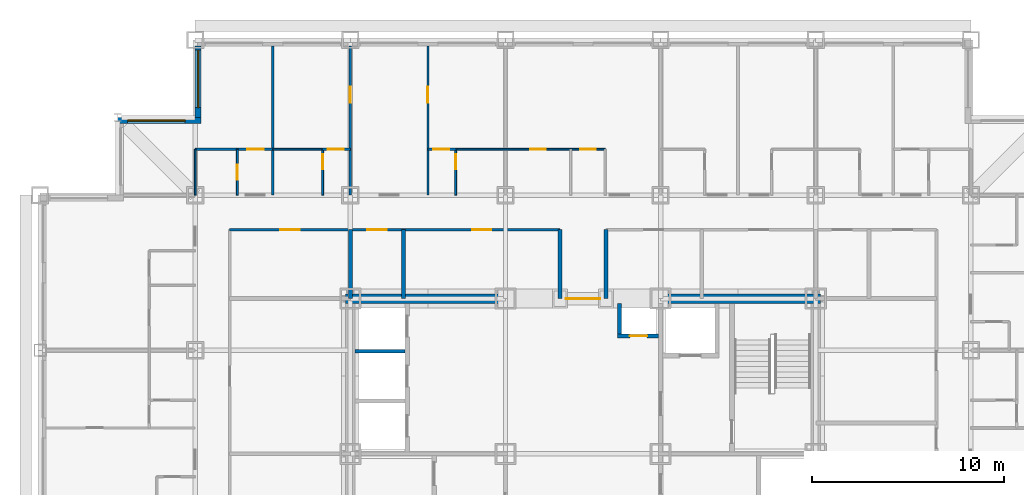
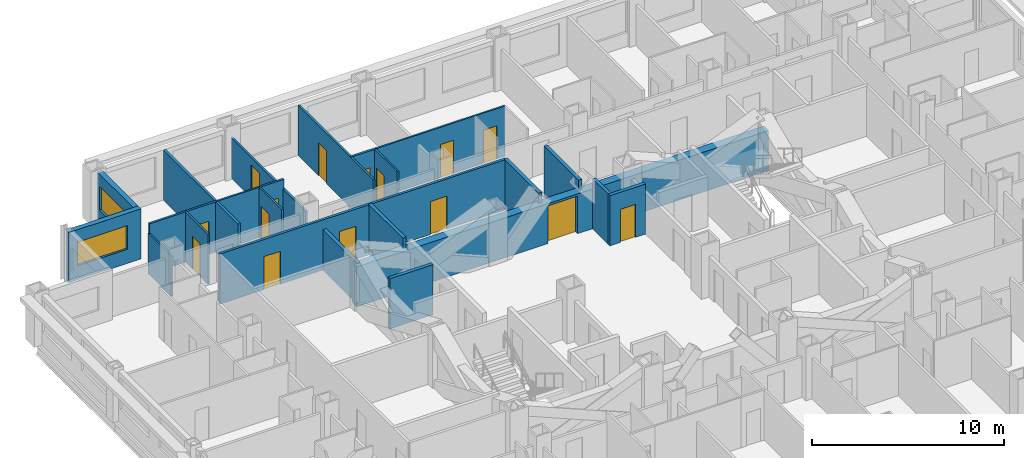
# One storey, part 9 of 14: 23 walls, 15 doors, 2 windows, 17 openings.
"""IFC4 building model written with IfcOpenShell, lengths in metres."""

from ifc_helpers import new_model, si_unit, direction, frame, frame_2d, origin, place, context, subcontext, project, spatial, rectangle, extrude, material, layer, layer_set, type_object, element, fill, save


model = new_model("IFC4")

# Units and contexts
model_context = context("Model", 3, precision=1e-05, world=origin(), true_north=direction((0.0, 1.0)))
body_context = subcontext(model_context, "Body", "Model", "MODEL_VIEW")
ifc_project = project(units=[si_unit("LENGTHUNIT", "METRE"), si_unit("AREAUNIT", "SQUARE_METRE"), si_unit("VOLUMEUNIT", "CUBIC_METRE"), si_unit("PLANEANGLEUNIT", "RADIAN"), si_unit("MASSUNIT", "GRAM", prefix="KILO")], contexts=[model_context])

# Site, building, storey
site_placement = place(None, origin())
site = spatial("IfcSite", under=ifc_project, at=site_placement, CompositionType="ELEMENT")
building_placement = place(site_placement, origin())
building = spatial("IfcBuilding", under=site, at=building_placement, Name="Kopane Lantern Tower", CompositionType="ELEMENT")
storey_placement = place(building_placement, frame((0.0, 0.0, 123.800048828125)))
storey = spatial("IfcBuildingStorey", under=building, at=storey_placement, Name="L31", CompositionType="ELEMENT", Elevation=123.800048828125)

# Wall, opening, door
ifc_material_1 = material(Name="Gypsum board on steel studs", Category="steel")
ifc_layer_1 = layer(ifc_material_1, 0.1201171875)
ifc_layer_set_1 = layer_set([ifc_layer_1], Name="APARTMENT INTERNAL WALL 120")
wall_type_1 = type_object("IfcWallType", Name="APARTMENT INTERNAL WALL 120", PredefinedType="PARTITIONING", material=ifc_layer_set_1)
wall_1_placement = place(storey_placement, frame((16.199951171875, 45.89990234375, 0.0), z_axis=(0.0, 0.0, 1.0), x_axis=(0.0, 1.0, 0.0)))
wall_1 = element("IfcWall", 1, at=wall_1_placement, inside=storey, type_object=wall_type_1, Name="Apartment Internal Wall 120 L31", PredefinedType="PARTITIONING", context=body_context, shape_type="SweptSolid", body=[
    extrude(rectangle(XDim=7.800048828125, YDim=0.1201171875, at=frame_2d((3.89990234375, 0.0))), origin(), (0.0, 0.0, 1.0), 2.57763671875),
])
opening_1_placement = place(wall_1_placement, frame((4.824951171875, 0.0, 0.0)))
opening_1 = element("IfcOpeningElement", 2, at=opening_1_placement, cuts=wall_1, Name="Opening L31-031", PredefinedType="OPENING", context=body_context, shape_type="SweptSolid", body=[
    extrude(rectangle(XDim=0.85009765625, YDim=2.10009765625, at=frame_2d((0.425048828125, 1.050048828125))), frame((0.0, 0.070068359375, 0.0), z_axis=(0.0, -1.0, 0.0), x_axis=(1.0, 0.0, 0.0)), (0.0, 0.0, 1.0), 0.14013671875),
])
ifc_material_2 = material(Name="Timber door set", Category="wood")
door_type_1 = type_object("IfcDoorType", Name="DOOR D4 850x2100", OperationType="SINGLE_SWING_LEFT", PredefinedType="DOOR", material=ifc_material_2)
door_1_placement = place(opening_1_placement, origin())
door_1 = element("IfcDoor", 3, at=door_1_placement, inside=storey, type_object=door_type_1, Name="Door L31-031", OperationType="SINGLE_SWING_LEFT", OverallHeight=2.10009765625, OverallWidth=0.85009765625, PredefinedType="DOOR", context=body_context, shape_type="SweptSolid", body=[
    extrude(rectangle(XDim=0.85009765625, YDim=2.10009765625, at=frame_2d((0.425048828125, 1.050048828125))), frame((0.0, 0.02490234375, 0.0), z_axis=(0.0, -1.0, 0.0), x_axis=(1.0, 0.0, 0.0)), (0.0, 0.0, 1.0), 0.050048828125),
])
fill(opening_1, door_1)

wall_2_placement = place(storey_placement, frame((20.25, 45.89990234375, 0.0), z_axis=(0.0, 0.0, 1.0), x_axis=(0.0, 1.0, 0.0)))
wall_2 = element("IfcWall", 4, at=wall_2_placement, inside=storey, type_object=wall_type_1, Name="Apartment Internal Wall 120 L31", PredefinedType="PARTITIONING", context=body_context, shape_type="SweptSolid", body=[
    extrude(rectangle(XDim=7.800048828125, YDim=0.1201171875, at=frame_2d((3.89990234375, 0.0))), origin(), (0.0, 0.0, 1.0), 3.18994140625),
])
opening_2_placement = place(wall_2_placement, frame((4.824951171875, 0.0, 0.0)))
opening_2 = element("IfcOpeningElement", 5, at=opening_2_placement, cuts=wall_2, Name="Opening L31-033", PredefinedType="OPENING", context=body_context, shape_type="SweptSolid", body=[
    extrude(rectangle(XDim=0.85009765625, YDim=2.10009765625, at=frame_2d((0.425048828125, 1.050048828125))), frame((0.0, 0.070068359375, 0.0), z_axis=(0.0, -1.0, 0.0), x_axis=(1.0, 0.0, 0.0)), (0.0, 0.0, 1.0), 0.14013671875),
])
door_2_placement = place(opening_2_placement, origin())
door_2 = element("IfcDoor", 6, at=door_2_placement, inside=storey, type_object=door_type_1, Name="Door L31-033", OperationType="SINGLE_SWING_RIGHT", OverallHeight=2.10009765625, OverallWidth=0.85009765625, PredefinedType="DOOR", context=body_context, shape_type="SweptSolid", body=[
    extrude(rectangle(XDim=0.85009765625, YDim=2.10009765625, at=frame_2d((0.425048828125, 1.050048828125))), frame((0.0, 0.02490234375, 0.0), z_axis=(0.0, -1.0, 0.0), x_axis=(1.0, 0.0, 0.0)), (0.0, 0.0, 1.0), 0.050048828125),
])
fill(opening_2, door_2)

wall_3_placement = place(storey_placement, frame((8.10009765625, 48.300048828125, 0.0), z_axis=(0.0, 0.0, 1.0), x_axis=(1.0, 0.0, 0.0)))
wall_3 = element("IfcWall", 7, at=wall_3_placement, inside=storey, type_object=wall_type_1, Name="Apartment Internal Wall 120 L31", PredefinedType="PARTITIONING", context=body_context, shape_type="SweptSolid", body=[
    extrude(rectangle(XDim=4.0498046875, YDim=0.1201171875, at=frame_2d((2.02490234375, 0.0))), origin(), (0.0, 0.0, 1.0), 3.18994140625),
])
opening_3_placement = place(wall_3_placement, frame((2.72509765625, 0.0, 0.0)))
opening_3 = element("IfcOpeningElement", 8, at=opening_3_placement, cuts=wall_3, Name="Opening L31-078", PredefinedType="OPENING", context=body_context, shape_type="SweptSolid", body=[
    extrude(rectangle(XDim=0.85009765625, YDim=2.10009765625, at=frame_2d((0.425048828125, 1.050048828125))), frame((0.0, 0.070068359375, 0.0), z_axis=(0.0, -1.0, 0.0), x_axis=(1.0, 0.0, 0.0)), (0.0, 0.0, 1.0), 0.14013671875),
])
door_3_placement = place(opening_3_placement, origin())
door_3 = element("IfcDoor", 9, at=door_3_placement, inside=storey, type_object=door_type_1, Name="Door L31-078", OperationType="SINGLE_SWING_LEFT", OverallHeight=2.10009765625, OverallWidth=0.85009765625, PredefinedType="DOOR", context=body_context, shape_type="SweptSolid", body=[
    extrude(rectangle(XDim=0.85009765625, YDim=2.10009765625, at=frame_2d((0.425048828125, 1.050048828125))), frame((0.0, 0.02490234375, 0.0), z_axis=(0.0, -1.0, 0.0), x_axis=(1.0, 0.0, 0.0)), (0.0, 0.0, 1.0), 0.050048828125),
])
fill(opening_3, door_3)

wall_4_placement = place(storey_placement, frame((14.739990234375, 48.300048828125, 0.0), z_axis=(0.0, 0.0, 1.0), x_axis=(1.0, 0.0, 0.0)))
wall_4 = element("IfcWall", 10, at=wall_4_placement, inside=storey, type_object=wall_type_1, Name="Apartment Internal Wall 120 L31", PredefinedType="PARTITIONING", context=body_context, shape_type="SweptSolid", body=[
    extrude(rectangle(XDim=1.4599609375, YDim=0.1201171875, at=frame_2d((0.72998046875, 0.0))), origin(), (0.0, 0.0, 1.0), 3.18994140625),
])
opening_4_placement = place(wall_4_placement, frame((0.27490234375, 0.0, 0.0)))
opening_4 = element("IfcOpeningElement", 11, at=opening_4_placement, cuts=wall_4, Name="Opening L31-083", PredefinedType="OPENING", context=body_context, shape_type="SweptSolid", body=[
    extrude(rectangle(XDim=0.85009765625, YDim=2.10009765625, at=frame_2d((0.425048828125, 1.050048828125))), frame((0.0, 0.070068359375, 0.0), z_axis=(0.0, -1.0, 0.0), x_axis=(1.0, 0.0, 0.0)), (0.0, 0.0, 1.0), 0.14013671875),
])
door_4_placement = place(opening_4_placement, origin())
door_4 = element("IfcDoor", 12, at=door_4_placement, inside=storey, type_object=door_type_1, Name="Door L31-083", OperationType="SINGLE_SWING_RIGHT", OverallHeight=2.10009765625, OverallWidth=0.85009765625, PredefinedType="DOOR", context=body_context, shape_type="SweptSolid", body=[
    extrude(rectangle(XDim=0.85009765625, YDim=2.10009765625, at=frame_2d((0.425048828125, 1.050048828125))), frame((0.0, 0.02490234375, 0.0), z_axis=(0.0, -1.0, 0.0), x_axis=(1.0, 0.0, 0.0)), (0.0, 0.0, 1.0), 0.050048828125),
])
fill(opening_4, door_4)

wall_5_placement = place(storey_placement, frame((20.25, 48.300048828125, 0.0), z_axis=(0.0, 0.0, 1.0), x_axis=(1.0, 0.0, 0.0)))
wall_5 = element("IfcWall", 13, at=wall_5_placement, inside=storey, type_object=wall_type_1, Name="Apartment Internal Wall 120 L31", PredefinedType="PARTITIONING", context=body_context, shape_type="SweptSolid", body=[
    extrude(rectangle(XDim=1.4599609375, YDim=0.1201171875, at=frame_2d((0.72998046875, 0.0))), origin(), (0.0, 0.0, 1.0), 3.18994140625),
])
opening_5_placement = place(wall_5_placement, frame((0.27490234375, 0.0, 0.0)))
opening_5 = element("IfcOpeningElement", 14, at=opening_5_placement, cuts=wall_5, Name="Opening L31-084", PredefinedType="OPENING", context=body_context, shape_type="SweptSolid", body=[
    extrude(rectangle(XDim=0.85009765625, YDim=2.10009765625, at=frame_2d((0.425048828125, 1.050048828125))), frame((0.0, 0.070068359375, 0.0), z_axis=(0.0, -1.0, 0.0), x_axis=(1.0, 0.0, 0.0)), (0.0, 0.0, 1.0), 0.14013671875),
])
door_5_placement = place(opening_5_placement, origin())
door_5 = element("IfcDoor", 15, at=door_5_placement, inside=storey, type_object=door_type_1, Name="Door L31-084", OperationType="SINGLE_SWING_LEFT", OverallHeight=2.10009765625, OverallWidth=0.85009765625, PredefinedType="DOOR", context=body_context, shape_type="SweptSolid", body=[
    extrude(rectangle(XDim=0.85009765625, YDim=2.10009765625, at=frame_2d((0.425048828125, 1.050048828125))), frame((0.0, 0.02490234375, 0.0), z_axis=(0.0, -1.0, 0.0), x_axis=(1.0, 0.0, 0.0)), (0.0, 0.0, 1.0), 0.050048828125),
])
fill(opening_5, door_5)

# Wall
ifc_material_3 = material(Name="Moisture-resistant board on steel studs", Category="steel")
ifc_layer_2 = layer(ifc_material_3, 0.10009765625)
ifc_layer_set_2 = layer_set([ifc_layer_2], Name="BATHROOM WALL 100")
wall_type_2 = type_object("IfcWallType", Name="BATHROOM WALL 100", PredefinedType="PARTITIONING", material=ifc_layer_set_2)
wall_6_placement = place(storey_placement, frame((12.14990234375, 48.300048828125, 0.0), z_axis=(0.0, 0.0, 1.0), x_axis=(1.0, 0.0, 0.0)))
element("IfcWall", 16, at=wall_6_placement, inside=storey, type_object=wall_type_2, Name="Bathroom Wall 100 L31", PredefinedType="PARTITIONING", context=body_context, shape_type="SweptSolid", body=[
    extrude(rectangle(XDim=2.60009765625, YDim=0.10009765625, at=frame_2d((1.300048828125, 0.0))), origin(), (0.0, 0.0, 1.0), 3.18994140625),
])

# Wall, opening, door
wall_7_placement = place(storey_placement, frame((14.75, 45.89990234375, 0.0), z_axis=(0.0, 0.0, 1.0), x_axis=(0.0, 1.0, 0.0)))
wall_7 = element("IfcWall", 17, at=wall_7_placement, inside=storey, type_object=wall_type_2, Name="Bathroom Wall 100 L31", PredefinedType="PARTITIONING", context=body_context, shape_type="SweptSolid", body=[
    extrude(rectangle(XDim=2.400146484375, YDim=0.10009765625, at=frame_2d((1.2001953125, 0.0))), origin(), (0.0, 0.0, 1.0), 3.18994140625),
])
opening_6_placement = place(wall_7_placement, frame((1.35009765625, 0.0, 0.0)))
opening_6 = element("IfcOpeningElement", 18, at=opening_6_placement, cuts=wall_7, Name="Opening L31-030", PredefinedType="OPENING", context=body_context, shape_type="SweptSolid", body=[
    extrude(rectangle(XDim=0.800048828125, YDim=2.10009765625, at=frame_2d((0.39990234375, 1.050048828125))), frame((0.0, 0.06005859375, 0.0), z_axis=(0.0, -1.0, 0.0), x_axis=(1.0, 0.0, 0.0)), (0.0, 0.0, 1.0), 0.1201171875),
])
ifc_material_4 = material(Name="Timber door set", Category="wood")
door_type_2 = type_object("IfcDoorType", Name="DOOR D2 800x2100", OperationType="SINGLE_SWING_LEFT", PredefinedType="DOOR", material=ifc_material_4)
door_6_placement = place(opening_6_placement, origin())
door_6 = element("IfcDoor", 19, at=door_6_placement, inside=storey, type_object=door_type_2, Name="Door L31-030", OperationType="SINGLE_SWING_LEFT", OverallHeight=2.10009765625, OverallWidth=0.800048828125, PredefinedType="DOOR", context=body_context, shape_type="SweptSolid", body=[
    extrude(rectangle(XDim=0.800048828125, YDim=2.10009765625, at=frame_2d((0.39990234375, 1.050048828125))), frame((0.0, 0.02490234375, 0.0), z_axis=(0.0, -1.0, 0.0), x_axis=(1.0, 0.0, 0.0)), (0.0, 0.0, 1.0), 0.050048828125),
])
fill(opening_6, door_6)

# Wall, openings, doors
wall_8_placement = place(storey_placement, frame((21.699951171875, 48.300048828125, 0.0), z_axis=(0.0, 0.0, 1.0), x_axis=(1.0, 0.0, 0.0)))
wall_8 = element("IfcWall", 20, at=wall_8_placement, inside=storey, type_object=wall_type_2, Name="Bathroom Wall 100 L31", PredefinedType="PARTITIONING", context=body_context, shape_type="SweptSolid", body=[
    extrude(rectangle(XDim=7.800048828125, YDim=0.10009765625, at=frame_2d((3.89990234375, 0.0))), origin(), (0.0, 0.0, 1.0), 3.18994140625),
])
opening_7_placement = place(wall_8_placement, frame((3.89990234375, 0.0, 0.0)))
opening_7 = element("IfcOpeningElement", 21, at=opening_7_placement, cuts=wall_8, Name="Opening L31-034", PredefinedType="OPENING", context=body_context, shape_type="SweptSolid", body=[
    extrude(rectangle(XDim=0.800048828125, YDim=2.10009765625, at=frame_2d((0.39990234375, 1.050048828125))), frame((0.0, 0.06005859375, 0.0), z_axis=(0.0, -1.0, 0.0), x_axis=(1.0, 0.0, 0.0)), (0.0, 0.0, 1.0), 0.1201171875),
])
opening_8_placement = place(wall_8_placement, frame((6.5, 0.0, 0.0)))
opening_8 = element("IfcOpeningElement", 22, at=opening_8_placement, cuts=wall_8, Name="Opening L31-035", PredefinedType="OPENING", context=body_context, shape_type="SweptSolid", body=[
    extrude(rectangle(XDim=0.800048828125, YDim=2.10009765625, at=frame_2d((0.39990234375, 1.050048828125))), frame((0.0, 0.06005859375, 0.0), z_axis=(0.0, -1.0, 0.0), x_axis=(1.0, 0.0, 0.0)), (0.0, 0.0, 1.0), 0.1201171875),
])
door_7_placement = place(opening_7_placement, origin())
door_7 = element("IfcDoor", 23, at=door_7_placement, inside=storey, type_object=door_type_2, Name="Door L31-034", OperationType="SINGLE_SWING_LEFT", OverallHeight=2.10009765625, OverallWidth=0.800048828125, PredefinedType="DOOR", context=body_context, shape_type="SweptSolid", body=[
    extrude(rectangle(XDim=0.800048828125, YDim=2.10009765625, at=frame_2d((0.39990234375, 1.050048828125))), frame((0.0, 0.02490234375, 0.0), z_axis=(0.0, -1.0, 0.0), x_axis=(1.0, 0.0, 0.0)), (0.0, 0.0, 1.0), 0.050048828125),
])
fill(opening_7, door_7)
door_8_placement = place(opening_8_placement, origin())
door_8 = element("IfcDoor", 24, at=door_8_placement, inside=storey, type_object=door_type_2, Name="Door L31-035", OperationType="SINGLE_SWING_LEFT", OverallHeight=2.10009765625, OverallWidth=0.800048828125, PredefinedType="DOOR", context=body_context, shape_type="SweptSolid", body=[
    extrude(rectangle(XDim=0.800048828125, YDim=2.10009765625, at=frame_2d((0.39990234375, 1.050048828125))), frame((0.0, 0.02490234375, 0.0), z_axis=(0.0, -1.0, 0.0), x_axis=(1.0, 0.0, 0.0)), (0.0, 0.0, 1.0), 0.050048828125),
])
fill(opening_8, door_8)

# Wall, opening, door
wall_9_placement = place(storey_placement, frame((21.699951171875, 45.89990234375, 0.0), z_axis=(0.0, 0.0, 1.0), x_axis=(0.0, 1.0, 0.0)))
wall_9 = element("IfcWall", 25, at=wall_9_placement, inside=storey, type_object=wall_type_2, Name="Bathroom Wall 100 L31", PredefinedType="PARTITIONING", context=body_context, shape_type="SweptSolid", body=[
    extrude(rectangle(XDim=2.400146484375, YDim=0.10009765625, at=frame_2d((1.2001953125, 0.0))), origin(), (0.0, 0.0, 1.0), 3.18994140625),
])
opening_9_placement = place(wall_9_placement, frame((1.35009765625, 0.0, 0.0)))
opening_9 = element("IfcOpeningElement", 26, at=opening_9_placement, cuts=wall_9, Name="Opening L31-032", PredefinedType="OPENING", context=body_context, shape_type="SweptSolid", body=[
    extrude(rectangle(XDim=0.800048828125, YDim=2.10009765625, at=frame_2d((0.39990234375, 1.050048828125))), frame((0.0, 0.06005859375, 0.0), z_axis=(0.0, -1.0, 0.0), x_axis=(1.0, 0.0, 0.0)), (0.0, 0.0, 1.0), 0.1201171875),
])
door_9_placement = place(opening_9_placement, origin())
door_9 = element("IfcDoor", 27, at=door_9_placement, inside=storey, type_object=door_type_2, Name="Door L31-032", OperationType="SINGLE_SWING_RIGHT", OverallHeight=2.10009765625, OverallWidth=0.800048828125, PredefinedType="DOOR", context=body_context, shape_type="SweptSolid", body=[
    extrude(rectangle(XDim=0.800048828125, YDim=2.10009765625, at=frame_2d((0.39990234375, 1.050048828125))), frame((0.0, 0.02490234375, 0.0), z_axis=(0.0, -1.0, 0.0), x_axis=(1.0, 0.0, 0.0)), (0.0, 0.0, 1.0), 0.050048828125),
])
fill(opening_9, door_9)

wall_10_placement = place(storey_placement, frame((10.300048828125, 45.89990234375, 0.0), z_axis=(0.0, 0.0, 1.0), x_axis=(0.0, 1.0, 0.0)))
wall_10 = element("IfcWall", 28, at=wall_10_placement, inside=storey, type_object=wall_type_2, Name="Bathroom Wall 100 L31", PredefinedType="PARTITIONING", context=body_context, shape_type="SweptSolid", body=[
    extrude(rectangle(XDim=2.400146484375, YDim=0.10009765625, at=frame_2d((1.2001953125, 0.0))), origin(), (0.0, 0.0, 1.0), 3.18994140625),
])
opening_10_placement = place(wall_10_placement, frame((0.800048828125, 0.0, 0.0)))
opening_10 = element("IfcOpeningElement", 29, at=opening_10_placement, cuts=wall_10, Name="Opening L31-076", PredefinedType="OPENING", context=body_context, shape_type="SweptSolid", body=[
    extrude(rectangle(XDim=0.800048828125, YDim=2.10009765625, at=frame_2d((0.39990234375, 1.050048828125))), frame((0.0, 0.06005859375, 0.0), z_axis=(0.0, -1.0, 0.0), x_axis=(1.0, 0.0, 0.0)), (0.0, 0.0, 1.0), 0.1201171875),
])
door_10_placement = place(opening_10_placement, origin())
door_10 = element("IfcDoor", 30, at=door_10_placement, inside=storey, type_object=door_type_2, Name="Door L31-076", OperationType="SINGLE_SWING_LEFT", OverallHeight=2.10009765625, OverallWidth=0.800048828125, PredefinedType="DOOR", context=body_context, shape_type="SweptSolid", body=[
    extrude(rectangle(XDim=0.800048828125, YDim=2.10009765625, at=frame_2d((0.39990234375, 1.050048828125))), frame((0.0, 0.02490234375, 0.0), z_axis=(0.0, -1.0, 0.0), x_axis=(1.0, 0.0, 0.0)), (0.0, 0.0, 1.0), 0.050048828125),
])
fill(opening_10, door_10)

# Wall
wall_11_placement = place(storey_placement, frame((8.10009765625, 45.89990234375, 0.0), z_axis=(0.0, 0.0, 1.0), x_axis=(0.0, 1.0, 0.0)))
element("IfcWall", 31, at=wall_11_placement, inside=storey, type_object=wall_type_2, Name="Bathroom Wall 100 L31", PredefinedType="PARTITIONING", context=body_context, shape_type="SweptSolid", body=[
    extrude(rectangle(XDim=2.400146484375, YDim=0.10009765625, at=frame_2d((1.2001953125, 0.0))), origin(), (0.0, 0.0, 1.0), 2.57763671875),
])

# Wall, opening, door
ifc_material_5 = material(Name="Gypsum shaft wall EI 120", Category="gypsum")
ifc_layer_3 = layer(ifc_material_5, 0.5)
ifc_layer_set_3 = layer_set([ifc_layer_3], Name="CORE PERIMETER WALL 500 EI 120")
wall_type_3 = type_object("IfcWallType", Name="CORE PERIMETER WALL 500 EI 120", PredefinedType="SOLIDWALL", material=ifc_layer_set_3)
wall_12_placement = place(storey_placement, frame((15.949951171875, 40.5, 0.0), z_axis=(0.0, 0.0, 1.0), x_axis=(1.0, 0.0, 0.0)))
wall_12 = element("IfcWall", 32, at=wall_12_placement, inside=storey, type_object=wall_type_3, Name="Core shaft wall L31 PN", PredefinedType="SOLIDWALL", context=body_context, shape_type="SweptSolid", body=[
    extrude(rectangle(XDim=24.800048828125, YDim=0.5, at=frame_2d((12.39990234375, 0.0))), origin(), (0.0, 0.0, 1.0), 2.5400390625),
])
opening_11_placement = place(wall_12_placement, frame((11.5, 0.0, 0.0)))
opening_11 = element("IfcOpeningElement", 33, at=opening_11_placement, cuts=wall_12, Name="Opening 31.CE-N", PredefinedType="OPENING", context=body_context, shape_type="SweptSolid", body=[
    extrude(rectangle(XDim=1.800048828125, YDim=2.39990234375, at=frame_2d((0.89990234375, 1.199951171875))), frame((0.0, 0.260009765625, 0.0), z_axis=(0.0, -1.0, 0.0), x_axis=(1.0, 0.0, 0.0)), (0.0, 0.0, 1.0), 0.52001953125),
])
ifc_material_6 = material(Name="Steel door set", Category="steel")
door_type_3 = type_object("IfcDoorType", Name="CORE ENTRY DOOR 1800x2400 FD60S", OperationType="DOUBLE_DOOR_SINGLE_SWING", PredefinedType="DOOR", material=ifc_material_6)
door_11_placement = place(opening_11_placement, origin())
door_11 = element("IfcDoor", 34, at=door_11_placement, inside=storey, type_object=door_type_3, Name="Core entry door L31 north", OperationType="DOUBLE_DOOR_SINGLE_SWING", OverallHeight=2.39990234375, OverallWidth=1.800048828125, PredefinedType="DOOR", context=body_context, shape_type="SweptSolid", body=[
    extrude(rectangle(XDim=1.800048828125, YDim=2.39990234375, at=frame_2d((0.89990234375, 1.199951171875))), frame((0.0, 0.02490234375, 0.0), z_axis=(0.0, -1.0, 0.0), x_axis=(1.0, 0.0, 0.0)), (0.0, 0.0, 1.0), 0.050048828125),
])
fill(opening_11, door_11)

# Wall, openings, doors
ifc_material_7 = material(Name="Gypsum board on steel studs", Category="steel")
ifc_layer_4 = layer(ifc_material_7, 0.14990234375)
ifc_layer_set_4 = layer_set([ifc_layer_4], Name="CORRIDOR WALL 150 EI 60")
wall_type_4 = type_object("IfcWallType", Name="CORRIDOR WALL 150 EI 60", PredefinedType="PARTITIONING", material=ifc_layer_set_4)
wall_13_placement = place(storey_placement, frame((27.139892578125, 44.10009765625, 0.0), z_axis=(0.0, 0.0, 1.0), x_axis=(-1.0, 0.0, 0.0)))
wall_13 = element("IfcWall", 35, at=wall_13_placement, inside=storey, type_object=wall_type_4, Name="Corridor Wall 150 Ei 60 L31", PredefinedType="PARTITIONING", context=body_context, shape_type="SweptSolid", body=[
    extrude(rectangle(XDim=17.239990234375, YDim=0.14990234375, at=frame_2d((8.6201171875, 0.0))), origin(), (0.0, 0.0, 1.0), 3.18994140625),
])
opening_12_placement = place(wall_13_placement, frame((13.590087890625, 0.0, 0.0)))
opening_12 = element("IfcOpeningElement", 36, at=opening_12_placement, cuts=wall_13, Name="Opening L31-008", PredefinedType="OPENING", context=body_context, shape_type="SweptSolid", body=[
    extrude(rectangle(XDim=1.0, YDim=2.10009765625, at=frame_2d((0.5, 1.050048828125))), frame((0.0, 0.0849609375, 0.0), z_axis=(0.0, -1.0, 0.0), x_axis=(1.0, 0.0, 0.0)), (0.0, 0.0, 1.0), 0.169921875),
])
opening_13_placement = place(wall_13_placement, frame((9.051025390625, 0.0, 0.0)))
opening_13 = element("IfcOpeningElement", 37, at=opening_13_placement, cuts=wall_13, Name="Opening L31-009", PredefinedType="OPENING", context=body_context, shape_type="SweptSolid", body=[
    extrude(rectangle(XDim=1.0, YDim=2.10009765625, at=frame_2d((0.5, 1.050048828125))), frame((0.0, 0.0849609375, 0.0), z_axis=(0.0, -1.0, 0.0), x_axis=(1.0, 0.0, 0.0)), (0.0, 0.0, 1.0), 0.169921875),
])
opening_14_placement = place(wall_13_placement, frame((3.576171875, 0.0, 0.0)))
opening_14 = element("IfcOpeningElement", 38, at=opening_14_placement, cuts=wall_13, Name="Opening L31-010", PredefinedType="OPENING", context=body_context, shape_type="SweptSolid", body=[
    extrude(rectangle(XDim=1.0, YDim=2.10009765625, at=frame_2d((0.5, 1.050048828125))), frame((0.0, 0.0849609375, 0.0), z_axis=(0.0, -1.0, 0.0), x_axis=(1.0, 0.0, 0.0)), (0.0, 0.0, 1.0), 0.169921875),
])
ifc_material_8 = material(Name="Steel door set", Category="steel")
door_type_4 = type_object("IfcDoorType", Name="DOOR D5 1000x2100 FD60", OperationType="SINGLE_SWING_LEFT", PredefinedType="DOOR", material=ifc_material_8)
door_12_placement = place(opening_12_placement, origin())
door_12 = element("IfcDoor", 39, at=door_12_placement, inside=storey, type_object=door_type_4, Name="Door L31-008", OperationType="SINGLE_SWING_LEFT", OverallHeight=2.10009765625, OverallWidth=1.0, PredefinedType="DOOR", context=body_context, shape_type="SweptSolid", body=[
    extrude(rectangle(XDim=1.0, YDim=2.10009765625, at=frame_2d((0.5, 1.050048828125))), frame((0.0, 0.02490234375, 0.0), z_axis=(0.0, -1.0, 0.0), x_axis=(1.0, 0.0, 0.0)), (0.0, 0.0, 1.0), 0.050048828125),
])
fill(opening_12, door_12)
door_13_placement = place(opening_13_placement, origin())
door_13 = element("IfcDoor", 40, at=door_13_placement, inside=storey, type_object=door_type_4, Name="Door L31-009", OperationType="SINGLE_SWING_RIGHT", OverallHeight=2.10009765625, OverallWidth=1.0, PredefinedType="DOOR", context=body_context, shape_type="SweptSolid", body=[
    extrude(rectangle(XDim=1.0, YDim=2.10009765625, at=frame_2d((0.5, 1.050048828125))), frame((0.0, 0.02490234375, 0.0), z_axis=(0.0, -1.0, 0.0), x_axis=(1.0, 0.0, 0.0)), (0.0, 0.0, 1.0), 0.050048828125),
])
fill(opening_13, door_13)
door_14_placement = place(opening_14_placement, origin())
door_14 = element("IfcDoor", 41, at=door_14_placement, inside=storey, type_object=door_type_4, Name="Door L31-010", OperationType="SINGLE_SWING_LEFT", OverallHeight=2.10009765625, OverallWidth=1.0, PredefinedType="DOOR", context=body_context, shape_type="SweptSolid", body=[
    extrude(rectangle(XDim=1.0, YDim=2.10009765625, at=frame_2d((0.5, 1.050048828125))), frame((0.0, 0.02490234375, 0.0), z_axis=(0.0, -1.0, 0.0), x_axis=(1.0, 0.0, 0.0)), (0.0, 0.0, 1.0), 0.050048828125),
])
fill(opening_14, door_14)

# Wall
ifc_material_9 = material(Name="Gypsum board on steel studs", Category="steel")
ifc_layer_5 = layer(ifc_material_9, 0.14990234375)
ifc_layer_set_5 = layer_set([ifc_layer_5], Name="DEMISING WALL 150 EI 60")
wall_type_5 = type_object("IfcWallType", Name="DEMISING WALL 150 EI 60", PredefinedType="PARTITIONING", material=ifc_layer_set_5)
wall_14_placement = place(storey_placement, frame((12.14990234375, 45.89990234375, 0.0), z_axis=(0.0, 0.0, 1.0), x_axis=(0.0, 1.0, 0.0)))
element("IfcWall", 42, at=wall_14_placement, inside=storey, type_object=wall_type_5, Name="Demising Wall 150 Ei 60 L31", PredefinedType="PARTITIONING", context=body_context, shape_type="SweptSolid", body=[
    extrude(rectangle(XDim=7.800048828125, YDim=0.14990234375, at=frame_2d((3.89990234375, 0.0))), origin(), (0.0, 0.0, 1.0), 3.18994140625),
])

# Wall, opening, window
ifc_material_10 = material(Name="Terracotta rainscreen on light steel framing", Category="masonry")
ifc_layer_6 = layer(ifc_material_10, 0.300048828125)
ifc_layer_set_6 = layer_set([ifc_layer_6], Name="EXTERNAL WALL EW1 300 TERRACOTTA")
wall_type_6 = type_object("IfcWallType", Name="EXTERNAL WALL EW1 300 TERRACOTTA", PredefinedType="SOLIDWALL", material=ifc_layer_set_6)
wall_15_placement = place(storey_placement, frame((8.25, 53.699951171875, 0.0), z_axis=(0.0, 0.0, 1.0), x_axis=(0.0, -1.0, 0.0)))
wall_15 = element("IfcWall", 43, at=wall_15_placement, inside=storey, type_object=wall_type_6, Name="External wall W L31", PredefinedType="SOLIDWALL", context=body_context, shape_type="SweptSolid", body=[
    extrude(rectangle(XDim=3.75, YDim=0.300048828125, at=frame_2d((1.875, 0.0))), origin(), (0.0, 0.0, 1.0), 3.18994140625),
])
opening_15_placement = place(wall_15_placement, frame((0.22509765625, 0.0, 0.89990234375)))
opening_15 = element("IfcOpeningElement", 44, at=opening_15_placement, cuts=wall_15, Name="Opening WR300150", PredefinedType="OPENING", context=body_context, shape_type="SweptSolid", body=[
    extrude(rectangle(XDim=3.0, YDim=1.5, at=frame_2d((1.5, 0.75))), frame((0.0, 0.159912109375, 0.0), z_axis=(0.0, -1.0, 0.0), x_axis=(1.0, 0.0, 0.0)), (0.0, 0.0, 1.0), 0.320068359375),
])
ifc_material_11 = material(Name="Aluminium and clear glass", Category="aluminium")
window_type = type_object("IfcWindowType", Name="RIBBON WINDOW WR300150 3000x1500", PartitioningType="SINGLE_PANEL", PredefinedType="WINDOW", material=ifc_material_11)
window_1_placement = place(opening_15_placement, origin())
window_1 = element("IfcWindow", 45, at=window_1_placement, inside=storey, type_object=window_type, Name="Window W L31", OverallHeight=1.5, OverallWidth=3.0, PartitioningType="SINGLE_PANEL", PredefinedType="WINDOW", context=body_context, shape_type="SweptSolid", body=[
    extrude(rectangle(XDim=3.0, YDim=1.5, at=frame_2d((1.5, 0.75))), frame((0.0, 0.030029296875, 0.0), z_axis=(0.0, -1.0, 0.0), x_axis=(1.0, 0.0, 0.0)), (0.0, 0.0, 1.0), 0.06005859375),
])
fill(opening_15, window_1)

wall_16_placement = place(storey_placement, frame((8.39990234375, 49.800048828125, 0.0), z_axis=(0.0, 0.0, 1.0), x_axis=(-1.0, 0.0, 0.0)))
wall_16 = element("IfcWall", 46, at=wall_16_placement, inside=storey, type_object=wall_type_6, Name="External wall N L31", PredefinedType="SOLIDWALL", context=body_context, shape_type="SweptSolid", body=[
    extrude(rectangle(XDim=4.349853515625, YDim=0.300048828125, at=frame_2d((2.1748046875, 0.0))), origin(), (0.0, 0.0, 1.0), 3.18994140625),
])
opening_16_placement = place(wall_16_placement, frame((0.824951171875, 0.0, 0.89990234375)))
opening_16 = element("IfcOpeningElement", 47, at=opening_16_placement, cuts=wall_16, Name="Opening WR300150", PredefinedType="OPENING", context=body_context, shape_type="SweptSolid", body=[
    extrude(rectangle(XDim=3.0, YDim=1.5, at=frame_2d((1.5, 0.75))), frame((0.0, 0.159912109375, 0.0), z_axis=(0.0, -1.0, 0.0), x_axis=(1.0, 0.0, 0.0)), (0.0, 0.0, 1.0), 0.320068359375),
])
window_2_placement = place(opening_16_placement, origin())
window_2 = element("IfcWindow", 48, at=window_2_placement, inside=storey, type_object=window_type, Name="Window N L31", OverallHeight=1.5, OverallWidth=3.0, PartitioningType="SINGLE_PANEL", PredefinedType="WINDOW", context=body_context, shape_type="SweptSolid", body=[
    extrude(rectangle(XDim=3.0, YDim=1.5, at=frame_2d((1.5, 0.75))), frame((0.0, 0.030029296875, 0.0), z_axis=(0.0, -1.0, 0.0), x_axis=(1.0, 0.0, 0.0)), (0.0, 0.0, 1.0), 0.06005859375),
])
fill(opening_16, window_2)

# Walls
ifc_material_12 = material(Name="Concrete masonry", Category="masonry")
ifc_layer_7 = layer(ifc_material_12, 0.199951171875)
ifc_layer_set_7 = layer_set([ifc_layer_7], Name="PLANT ROOM WALL 200 EI 120")
wall_type_7 = type_object("IfcWallType", Name="PLANT ROOM WALL 200 EI 120", PredefinedType="SOLIDWALL", material=ifc_layer_set_7)
wall_17_placement = place(storey_placement, frame((16.199951171875, 40.5, 0.0), z_axis=(0.0, 0.0, 1.0), x_axis=(0.0, 1.0, 0.0)))
element("IfcWall", 49, at=wall_17_placement, inside=storey, type_object=wall_type_7, Name="Plant Room Wall 200 Ei 120 L31", PredefinedType="SOLIDWALL", context=body_context, shape_type="SweptSolid", body=[
    extrude(rectangle(XDim=3.60009765625, YDim=0.199951171875, at=frame_2d((1.800048828125, 0.0))), origin(), (0.0, 0.0, 1.0), 2.57763671875),
])
for number, where, z_axis, x_axis, name in (
    (50, (18.977783203125, 44.10009765625, 0.0), (0.0, 0.0, 1.0), (0.0, -1.0, 0.0), "Plant Room Wall 200 Ei 120 L31"),
    (51, (27.14990234375, 40.5, 0.0), (0.0, 0.0, 1.0), (0.0, 1.0, 0.0), "Plant Room Wall 200 Ei 120 L31"),
    (52, (29.550048828125, 40.5, 0.0), (0.0, 0.0, 1.0), (0.0, 1.0, 0.0), "Plant Room Wall 200 Ei 120 L31"),
):
    element("IfcWall", number, at=place(storey_placement, frame(where, z_axis=z_axis, x_axis=x_axis)), inside=storey, type_object=wall_type_7, Name=name, PredefinedType="SOLIDWALL", context=body_context, shape_type="SweptSolid", body=[
        extrude(rectangle(XDim=3.60009765625, YDim=0.199951171875, at=frame_2d((1.800048828125, 0.0))), origin(), (0.0, 0.0, 1.0), 3.18994140625),
    ])
ifc_material_13 = material(Name="Gypsum shaft wall EI 120", Category="gypsum")
ifc_layer_8 = layer(ifc_material_13, 0.199951171875)
ifc_layer_set_8 = layer_set([ifc_layer_8], Name="SHAFT WALL 200 EI 120")
wall_type_8 = type_object("IfcWallType", Name="SHAFT WALL 200 EI 120", PredefinedType="SOLIDWALL", material=ifc_layer_set_8)
wall_18_placement = place(storey_placement, frame((16.449951171875, 37.75, 0.0), z_axis=(0.0, 0.0, 1.0), x_axis=(1.0, 0.0, 0.0)))
element("IfcWall", 53, at=wall_18_placement, inside=storey, type_object=wall_type_8, Name="Core shaft wall L31 YLH23", PredefinedType="SOLIDWALL", context=body_context, shape_type="SweptSolid", body=[
    extrude(rectangle(XDim=2.60009765625, YDim=0.199951171875, at=frame_2d((1.300048828125, 0.0))), origin(), (0.0, 0.0, 1.0), 3.18994140625),
])
wall_19_placement = place(storey_placement, frame((30.25, 38.64990234375, 0.0), z_axis=(0.0, 0.0, 1.0), x_axis=(0.0, 1.0, 0.0)))
element("IfcWall", 54, at=wall_19_placement, inside=storey, type_object=wall_type_8, Name="Core shaft wall L31 XRS2", PredefinedType="SOLIDWALL", context=body_context, shape_type="SweptSolid", body=[
    extrude(rectangle(XDim=1.60009765625, YDim=0.199951171875, at=frame_2d((0.800048828125, 0.0))), origin(), (0.0, 0.0, 1.0), 3.18994140625),
])

# Wall, opening, door
wall_20_placement = place(storey_placement, frame((30.14990234375, 38.550048828125, 0.0), z_axis=(0.0, 0.0, 1.0), x_axis=(1.0, 0.0, 0.0)))
wall_20 = element("IfcWall", 55, at=wall_20_placement, inside=storey, type_object=wall_type_8, Name="Core shaft wall L31 YRS2", PredefinedType="SOLIDWALL", context=body_context, shape_type="SweptSolid", body=[
    extrude(rectangle(XDim=2.150146484375, YDim=0.199951171875, at=frame_2d((1.0751953125, 0.0))), origin(), (0.0, 0.0, 1.0), 3.18994140625),
])
opening_17_placement = place(wall_20_placement, frame((0.64990234375, 0.0, 0.0)))
opening_17 = element("IfcOpeningElement", 56, at=opening_17_placement, cuts=wall_20, Name="Opening 31.RS2", PredefinedType="OPENING", context=body_context, shape_type="SweptSolid", body=[
    extrude(rectangle(XDim=0.89990234375, YDim=2.10009765625, at=frame_2d((0.449951171875, 1.050048828125))), frame((0.0, 0.10986328125, 0.0), z_axis=(0.0, -1.0, 0.0), x_axis=(1.0, 0.0, 0.0)), (0.0, 0.0, 1.0), 0.219970703125),
])
ifc_material_14 = material(Name="Steel door set", Category="steel")
door_type_5 = type_object("IfcDoorType", Name="RISER ACCESS DOOR 900x2100 FD60", OperationType="SINGLE_SWING_LEFT", PredefinedType="DOOR", material=ifc_material_14)
door_15_placement = place(opening_17_placement, origin())
door_15 = element("IfcDoor", 57, at=door_15_placement, inside=storey, type_object=door_type_5, Name="Riser access door RS2 L31", OperationType="SINGLE_SWING_LEFT", OverallHeight=2.10009765625, OverallWidth=0.89990234375, PredefinedType="DOOR", context=body_context, shape_type="SweptSolid", body=[
    extrude(rectangle(XDim=0.89990234375, YDim=2.10009765625, at=frame_2d((0.449951171875, 1.050048828125))), frame((0.0, 0.02490234375, 0.0), z_axis=(0.0, -1.0, 0.0), x_axis=(1.0, 0.0, 0.0)), (0.0, 0.0, 1.0), 0.050048828125),
])
fill(opening_17, door_15)

save(model, "model.ifc")
